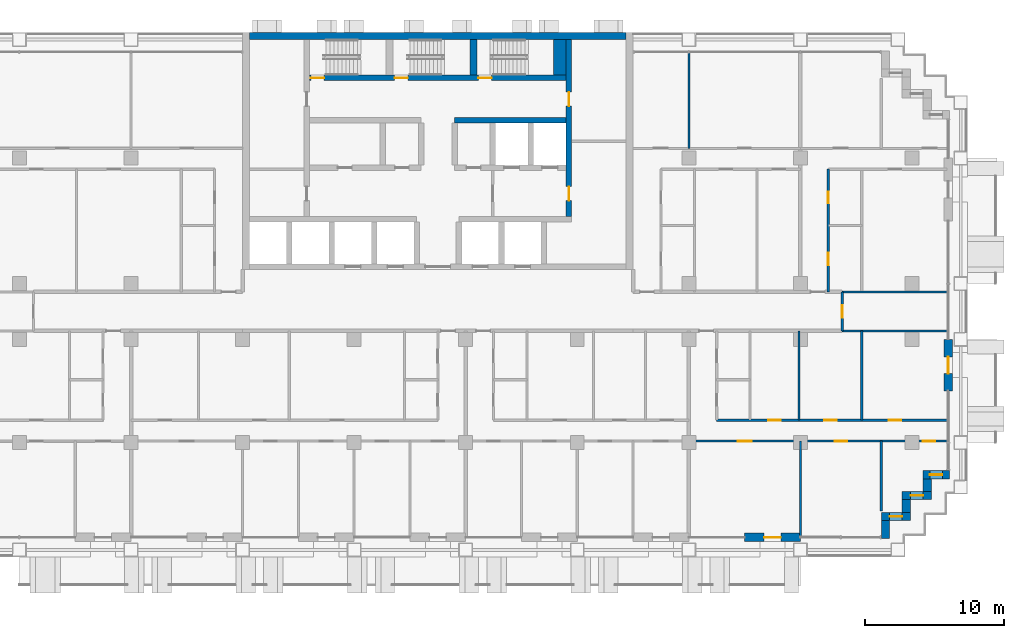
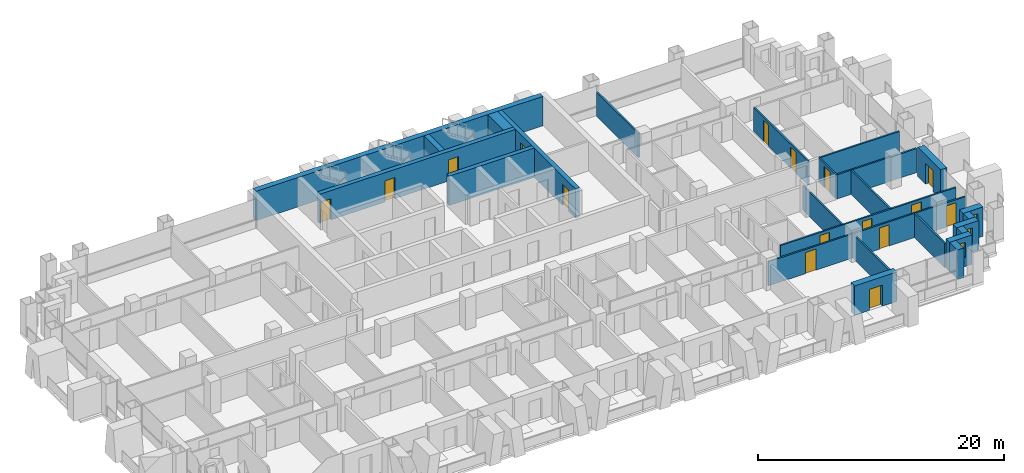
# One storey, part 13 of 18: 25 walls, 16 doors, 3 windows, 19 openings.
"""IFC4 building model written with IfcOpenShell, lengths in metres."""

import ifcopenshell
import ifcopenshell.guid

model = None  # the IFC model being written
_history = None  # IfcOwnerHistory: only IFC2X3 demands one
_inside = {}  # id of a spatial element -> (the spatial element, [elements in it])
_under = {}  # id of a project, library or spatial element -> (it, [spatial elements below it])
_declared = {}  # id of a project -> (the project, [libraries it declares])
_typed = {}  # id of a type object -> (the type object, [elements of that type])
_made_of = {}  # id of a material, layer set ... -> (it, [elements and type objects made of it])


def new_model(schema):
    """Start an empty IFC model of exactly this schema.

    Asked for "IFC4X3", IfcOpenShell would pick the latest addendum, in which some entities
    have other attributes; the version numbers below select the first issue.
    IFC2X3 requires an IfcOwnerHistory on every rooted entity: one is made here for all.
    """
    global model, _history
    if schema == "IFC4X3":
        model = ifcopenshell.file(schema_version=(4, 3, 0, 0))
    else:
        model = ifcopenshell.file(schema=schema)
    _inside.clear()
    _under.clear()
    _declared.clear()
    _typed.clear()
    _made_of.clear()
    _history = None
    if model.schema == "IFC2X3":
        org = make("IfcOrganization", Name="unknown")
        user = make(
            "IfcPersonAndOrganization",
            ThePerson=make("IfcPerson", FamilyName="unknown"),
            TheOrganization=org,
        )
        app = make(
            "IfcApplication",
            ApplicationDeveloper=org,
            Version="unknown",
            ApplicationFullName="unknown",
            ApplicationIdentifier="unknown",
        )
        _history = make(
            "IfcOwnerHistory",
            OwningUser=user,
            OwningApplication=app,
            ChangeAction="ADDED",
            CreationDate=0,
        )
    return model


def make(cls, **values):
    """One entity of the class cls with the attributes given. An attribute that is None is left unset."""
    return model.create_entity(
        cls, **{name: value for name, value in values.items() if value is not None}
    )


def rooted(cls, **values):
    """An entity with a GlobalId (a new one), such as an element, a storey or a relation."""
    return make(cls, GlobalId=ifcopenshell.guid.new(), OwnerHistory=_history, **values)


def si_unit(unit_type, name, prefix=None):
    """IfcSIUnit, for example si_unit("LENGTHUNIT", "METRE", prefix="MILLI")."""
    return make("IfcSIUnit", UnitType=unit_type, Prefix=prefix, Name=name)


def assignment(units):
    """IfcUnitAssignment: the units of a project."""
    return None if units is None else make("IfcUnitAssignment", Units=units)


def point(xyz):
    """IfcCartesianPoint."""
    return None if xyz is None else make("IfcCartesianPoint", Coordinates=xyz)


def direction(xyz):
    """IfcDirection."""
    return None if xyz is None else make("IfcDirection", DirectionRatios=xyz)


def frame(location, z_axis=None, x_axis=None):
    """IfcAxis2Placement3D, a coordinate frame: its origin and axes. An axis left out is left unset."""
    return make(
        "IfcAxis2Placement3D",
        Location=point(location),
        Axis=direction(z_axis),
        RefDirection=direction(x_axis),
    )


def frame_2d(location, x_axis=None):
    """IfcAxis2Placement2D, a coordinate frame in the plane: its origin and x axis."""
    return make(
        "IfcAxis2Placement2D", Location=point(location), RefDirection=direction(x_axis)
    )


def origin():
    """The frame at (0, 0, 0) with its axes left unset."""
    return frame((0.0, 0.0, 0.0))


def place(relative_to, where):
    """IfcLocalPlacement: puts the frame where relative to a parent placement (None: the world)."""
    return make(
        "IfcLocalPlacement", PlacementRelTo=relative_to, RelativePlacement=where
    )


def context(
    kind, dimensions, precision=None, world=None, true_north=None, identifier=None
):
    """IfcGeometricRepresentationContext, for example the 3D "Model" context."""
    return make(
        "IfcGeometricRepresentationContext",
        ContextIdentifier=identifier,
        ContextType=kind,
        CoordinateSpaceDimension=dimensions,
        Precision=precision,
        WorldCoordinateSystem=world,
        TrueNorth=true_north,
    )


def subcontext(parent, identifier, kind, view, scale=None):
    """IfcGeometricRepresentationSubContext, for example "Body" below "Model"."""
    return make(
        "IfcGeometricRepresentationSubContext",
        ContextIdentifier=identifier,
        ContextType=kind,
        ParentContext=parent,
        TargetScale=scale,
        TargetView=view,
    )


def project(units=None, contexts=None):
    """IfcProject with its units and contexts."""
    return rooted(
        "IfcProject",
        Name="project",
        RepresentationContexts=contexts,
        UnitsInContext=assignment(units),
    )


def spatial(cls, under=None, at=None, **own):
    """A site, building, storey or space (cls), placed at a placement, below another one or the project."""
    s = rooted(cls, ObjectPlacement=at, **own)
    if under is not None:
        _under.setdefault(under.id(), (under, []))[1].append(s)
    return s


def profile(cls, at=None, kind="AREA", **sizes):
    """A parametric profile (cls). Its sizes go by their IFC names, for example OverallWidth=200.0."""
    return make(cls, ProfileType=kind, Position=at, **sizes)


def rectangle(**sizes):
    """IfcRectangleProfileDef."""
    return profile("IfcRectangleProfileDef", **sizes)


def extrude(swept, where, along, depth):
    """IfcExtrudedAreaSolid: the profile swept, set in the frame where, extruded along a direction by depth."""
    return make(
        "IfcExtrudedAreaSolid",
        SweptArea=swept,
        Position=where,
        ExtrudedDirection=direction(along),
        Depth=depth,
    )


def shape(context_of_items, identifier, shape_type, items):
    """IfcShapeRepresentation: the items that make up one representation, for example the "Body"."""
    return make(
        "IfcShapeRepresentation",
        ContextOfItems=context_of_items,
        RepresentationIdentifier=identifier,
        RepresentationType=shape_type,
        Items=items,
    )


def material(Name=None, Category=None):
    """IfcMaterial."""
    return make("IfcMaterial", Name=Name, Category=Category)


def layer(
    of_material, thickness, ventilated=None, Name=None, Category=None, Priority=None
):
    """IfcMaterialLayer: one layer of a wall or slab, of a material (None: an air gap)."""
    return make(
        "IfcMaterialLayer",
        Material=of_material,
        LayerThickness=thickness,
        IsVentilated=ventilated,
        Name=Name,
        Category=Category,
        Priority=Priority,
    )


def layer_set(layers, Name=None):
    """IfcMaterialLayerSet."""
    return make("IfcMaterialLayerSet", MaterialLayers=layers, LayerSetName=Name)


def made_of(thing, what):
    """Note that an element or type object is made of a material, layer set ...; save() writes the relation."""
    if what is not None:
        _made_of.setdefault(what.id(), (what, []))[1].append(thing)
    return thing


def type_object(cls, material=None, **own):
    """A type object (cls), such as IfcWallType, which elements share."""
    return made_of(rooted(cls, **own), material)


def element(
    cls,
    number,
    at=None,
    inside=None,
    cuts=None,
    type_object=None,
    material=None,
    context=None,
    identifier="Body",
    shape_type=None,
    held_by="IfcProductDefinitionShape",
    body=None,
    shapes=None,
    **own,
):
    """One element of the class cls, such as IfcWall. Its Tag is "e" and its number.

    at: its placement. inside: the storey or other place that contains it. cuts: it is an
    opening in that element (IfcRelVoidsElement). A single representation is given by context,
    identifier, shape_type and body (its items); several are given by shapes. held_by: the class
    of the entity that holds the representations. save() writes the other relations.
    """
    e = rooted(cls, Tag="e%d" % number, ObjectPlacement=at, **own)
    if body is not None:
        shapes = [shape(context, identifier, shape_type, body)]
    if shapes is not None:
        e.Representation = make(held_by, Representations=shapes)
    if inside is not None:
        _inside.setdefault(inside.id(), (inside, []))[1].append(e)
    if cuts is not None:
        rooted(
            "IfcRelVoidsElement", RelatingBuildingElement=cuts, RelatedOpeningElement=e
        )
    if type_object is not None:
        _typed.setdefault(type_object.id(), (type_object, []))[1].append(e)
    return made_of(e, material)


def fill(opening, filler):
    """IfcRelFillsElement: the door or window that sits in an opening."""
    return rooted(
        "IfcRelFillsElement",
        RelatingOpeningElement=opening,
        RelatedBuildingElement=filler,
    )


def aggregate(whole, parts):
    """IfcRelAggregates: a whole, such as a stair, and the parts it consists of."""
    return rooted("IfcRelAggregates", RelatingObject=whole, RelatedObjects=parts)


def save(model, path):
    """Write the relations noted so far, then the file.

    IfcRelAggregates (storeys below a building ...), IfcRelContainedInSpatialStructure (elements
    in a storey), IfcRelDefinesByType, IfcRelAssociatesMaterial and IfcRelDeclares: one each for
    every whole, place, type object, material and project.
    """
    for whole, parts in _under.values():
        aggregate(whole, parts)
    for where, things in _inside.values():
        rooted(
            "IfcRelContainedInSpatialStructure",
            RelatedElements=things,
            RelatingStructure=where,
        )
    for kind, things in _typed.values():
        rooted("IfcRelDefinesByType", RelatedObjects=things, RelatingType=kind)
    for what, things in _made_of.values():
        rooted("IfcRelAssociatesMaterial", RelatedObjects=things, RelatingMaterial=what)
    for by, libraries in _declared.values():
        rooted("IfcRelDeclares", RelatingContext=by, RelatedDefinitions=libraries)
    model.write(path)


model = new_model("IFC4")

# Units and contexts
model_context = context("Model", 3, precision=1e-05, world=origin(), true_north=direction((0.0, 1.0)))
body_context = subcontext(model_context, "Body", "Model", "MODEL_VIEW")
ifc_project = project(units=[si_unit("LENGTHUNIT", "METRE"), si_unit("AREAUNIT", "SQUARE_METRE"), si_unit("VOLUMEUNIT", "CUBIC_METRE"), si_unit("PLANEANGLEUNIT", "RADIAN"), si_unit("MASSUNIT", "GRAM", prefix="KILO")], contexts=[model_context])

# Site, building, storey
site_placement = place(None, origin())
site = spatial("IfcSite", under=ifc_project, at=site_placement, CompositionType="ELEMENT")
building_placement = place(site_placement, origin())
building = spatial("IfcBuilding", under=site, at=building_placement, Name="Vidyagriha Tower", CompositionType="ELEMENT")
storey_placement = place(building_placement, frame((0.0, 0.0, 48.0)))
storey = spatial("IfcBuildingStorey", under=building, at=storey_placement, Name="L12", CompositionType="ELEMENT", Elevation=48.0)

# Wall, opening, door
ifc_material_1 = material(Name="Precast concrete C40/50 with brick facing", Category="concrete")
ifc_layer_1 = layer(ifc_material_1, 0.60009765625)
ifc_layer_set_1 = layer_set([ifc_layer_1], Name="Precast concrete C40/50 with brick facing")
wall_type_1 = type_object("IfcWallType", Name="Brick-faced precast wall 600", PredefinedType="STANDARD", material=ifc_layer_set_1)
wall_1_placement = place(storey_placement, frame((22.0, -16.199951171875, 0.0)))
wall_1 = element("IfcWall", 1, at=wall_1_placement, inside=storey, type_object=wall_type_1, Name="Brick door bay wall L12 R23.15", PredefinedType="STANDARD", context=body_context, shape_type="SweptSolid", body=[
    extrude(rectangle(XDim=4.0, YDim=0.60009765625, at=frame_2d((2.0, 0.0))), origin(), (0.0, 0.0, 1.0), 2.919921875),
])
opening_1_placement = place(wall_1_placement, frame((1.39990234375, 0.0, 0.0)))
opening_1 = element("IfcOpeningElement", 2, at=opening_1_placement, cuts=wall_1, Name="Opening D12-83", PredefinedType="OPENING", context=body_context, shape_type="SweptSolid", body=[
    extrude(rectangle(XDim=1.199951171875, YDim=2.10009765625, at=frame_2d((0.60009765625, 1.050048828125))), frame((0.0, 0.31005859375, 0.0), z_axis=(0.0, -1.0, 0.0), x_axis=(1.0, 0.0, 0.0)), (0.0, 0.0, 1.0), 0.6201171875),
])
ifc_material_2 = material(Name="Aluminium framed glazed sliding door", Category="aluminium")
door_type_1 = type_object("IfcDoorType", Name="Balcony sliding door 1200x2100", OperationType="NOTDEFINED", PredefinedType="DOOR", material=ifc_material_2)
door_1_placement = place(opening_1_placement, origin())
door_1 = element("IfcDoor", 3, at=door_1_placement, inside=storey, type_object=door_type_1, Name="Door D12-83", OperationType="SLIDING_TO_LEFT", OverallHeight=2.10009765625, OverallWidth=1.199951171875, PredefinedType="DOOR", context=body_context, shape_type="SweptSolid", body=[
    extrude(rectangle(XDim=1.199951171875, YDim=2.10009765625, at=frame_2d((0.60009765625, 1.050048828125))), frame((0.0, 0.02490234375, 0.0), z_axis=(0.0, -1.0, 0.0), x_axis=(1.0, 0.0, 0.0)), (0.0, 0.0, 1.0), 0.050048828125),
])
fill(opening_1, door_1)

# Wall
wall_2_placement = place(storey_placement, frame((32.10009765625, -16.280029296875, 0.0), z_axis=(0.0, 0.0, 1.0), x_axis=(0.0, 1.0, 0.0)))
element("IfcWall", 4, at=wall_2_placement, inside=storey, type_object=wall_type_1, Name="Stepped corner wall L12 R24", PredefinedType="STANDARD", context=body_context, shape_type="SweptSolid", body=[
    extrude(rectangle(XDim=1.280029296875, YDim=0.60009765625, at=frame_2d((0.64013671875, 0.0))), origin(), (0.0, 0.0, 1.0), 2.919921875),
])

# Wall, opening, window
wall_3_placement = place(storey_placement, frame((31.800048828125, -14.699951171875, 0.0)))
wall_3 = element("IfcWall", 5, at=wall_3_placement, inside=storey, type_object=wall_type_1, Name="Stepped corner wall L12 R25", PredefinedType="STANDARD", context=body_context, shape_type="SweptSolid", body=[
    extrude(rectangle(XDim=2.099853515625, YDim=0.60009765625, at=frame_2d((1.0498046875, 0.0))), origin(), (0.0, 0.0, 1.0), 2.919921875),
])
opening_2_placement = place(wall_3_placement, frame((0.60009765625, 0.0, 0.89990234375)))
opening_2 = element("IfcOpeningElement", 6, at=opening_2_placement, cuts=wall_3, Name="Opening WN1", PredefinedType="OPENING", context=body_context, shape_type="SweptSolid", body=[
    extrude(rectangle(XDim=0.89990234375, YDim=1.5, at=frame_2d((0.449951171875, 0.75))), frame((0.0, 0.31005859375, 0.0), z_axis=(0.0, -1.0, 0.0), x_axis=(1.0, 0.0, 0.0)), (0.0, 0.0, 1.0), 0.6201171875),
])
ifc_material_3 = material(Name="Aluminium and glass window", Category="aluminium")
window_type = type_object("IfcWindowType", Name="Reveal window 900x1500", PartitioningType="NOTDEFINED", PredefinedType="WINDOW", material=ifc_material_3)
window_1_placement = place(opening_2_placement, origin())
window_1 = element("IfcWindow", 7, at=window_1_placement, inside=storey, type_object=window_type, Name="Reveal window L12 R25", OverallHeight=1.5, OverallWidth=0.89990234375, PartitioningType="SINGLE_PANEL", PredefinedType="WINDOW", context=body_context, shape_type="SweptSolid", body=[
    extrude(rectangle(XDim=0.89990234375, YDim=1.5, at=frame_2d((0.449951171875, 0.75))), frame((0.0, 0.030029296875, 0.0), z_axis=(0.0, -1.0, 0.0), x_axis=(1.0, 0.0, 0.0)), (0.0, 0.0, 1.0), 0.06005859375),
])
fill(opening_2, window_1)

# Wall
wall_4_placement = place(storey_placement, frame((33.60009765625, -14.39990234375, 0.0), z_axis=(0.0, 0.0, 1.0), x_axis=(0.0, 1.0, 0.0)))
element("IfcWall", 8, at=wall_4_placement, inside=storey, type_object=wall_type_1, Name="Stepped corner wall L12 R26", PredefinedType="STANDARD", context=body_context, shape_type="SweptSolid", body=[
    extrude(rectangle(XDim=0.89990234375, YDim=0.60009765625, at=frame_2d((0.449951171875, 0.0))), origin(), (0.0, 0.0, 1.0), 2.919921875),
])

# Wall, opening, window
wall_5_placement = place(storey_placement, frame((33.300048828125, -13.199951171875, 0.0)))
wall_5 = element("IfcWall", 9, at=wall_5_placement, inside=storey, type_object=wall_type_1, Name="Stepped corner wall L12 R27", PredefinedType="STANDARD", context=body_context, shape_type="SweptSolid", body=[
    extrude(rectangle(XDim=2.099853515625, YDim=0.60009765625, at=frame_2d((1.0498046875, 0.0))), origin(), (0.0, 0.0, 1.0), 2.919921875),
])
opening_3_placement = place(wall_5_placement, frame((0.60009765625, 0.0, 0.89990234375)))
opening_3 = element("IfcOpeningElement", 10, at=opening_3_placement, cuts=wall_5, Name="Opening WN1", PredefinedType="OPENING", context=body_context, shape_type="SweptSolid", body=[
    extrude(rectangle(XDim=0.89990234375, YDim=1.5, at=frame_2d((0.449951171875, 0.75))), frame((0.0, 0.31005859375, 0.0), z_axis=(0.0, -1.0, 0.0), x_axis=(1.0, 0.0, 0.0)), (0.0, 0.0, 1.0), 0.6201171875),
])
window_2_placement = place(opening_3_placement, origin())
window_2 = element("IfcWindow", 11, at=window_2_placement, inside=storey, type_object=window_type, Name="Reveal window L12 R27", OverallHeight=1.5, OverallWidth=0.89990234375, PartitioningType="SINGLE_PANEL", PredefinedType="WINDOW", context=body_context, shape_type="SweptSolid", body=[
    extrude(rectangle(XDim=0.89990234375, YDim=1.5, at=frame_2d((0.449951171875, 0.75))), frame((0.0, 0.030029296875, 0.0), z_axis=(0.0, -1.0, 0.0), x_axis=(1.0, 0.0, 0.0)), (0.0, 0.0, 1.0), 0.06005859375),
])
fill(opening_3, window_2)

# Wall
wall_6_placement = place(storey_placement, frame((35.10009765625, -12.89990234375, 0.0), z_axis=(0.0, 0.0, 1.0), x_axis=(0.0, 1.0, 0.0)))
element("IfcWall", 12, at=wall_6_placement, inside=storey, type_object=wall_type_1, Name="Stepped corner wall L12 R28", PredefinedType="STANDARD", context=body_context, shape_type="SweptSolid", body=[
    extrude(rectangle(XDim=0.89990234375, YDim=0.60009765625, at=frame_2d((0.449951171875, 0.0))), origin(), (0.0, 0.0, 1.0), 2.919921875),
])

# Wall, opening, window
wall_7_placement = place(storey_placement, frame((34.800048828125, -11.699951171875, 0.0)))
wall_7 = element("IfcWall", 13, at=wall_7_placement, inside=storey, type_object=wall_type_1, Name="Stepped corner wall L12 R29", PredefinedType="STANDARD", context=body_context, shape_type="SweptSolid", body=[
    extrude(rectangle(XDim=1.8798828125, YDim=0.60009765625, at=frame_2d((0.93994140625, 0.0))), origin(), (0.0, 0.0, 1.0), 2.919921875),
])
opening_4_placement = place(wall_7_placement, frame((0.489990234375, 0.0, 0.89990234375)))
opening_4 = element("IfcOpeningElement", 14, at=opening_4_placement, cuts=wall_7, Name="Opening WN1", PredefinedType="OPENING", context=body_context, shape_type="SweptSolid", body=[
    extrude(rectangle(XDim=0.89990234375, YDim=1.5, at=frame_2d((0.449951171875, 0.75))), frame((0.0, 0.31005859375, 0.0), z_axis=(0.0, -1.0, 0.0), x_axis=(1.0, 0.0, 0.0)), (0.0, 0.0, 1.0), 0.6201171875),
])
window_3_placement = place(opening_4_placement, origin())
window_3 = element("IfcWindow", 15, at=window_3_placement, inside=storey, type_object=window_type, Name="Reveal window L12 R29", OverallHeight=1.5, OverallWidth=0.89990234375, PartitioningType="SINGLE_PANEL", PredefinedType="WINDOW", context=body_context, shape_type="SweptSolid", body=[
    extrude(rectangle(XDim=0.89990234375, YDim=1.5, at=frame_2d((0.449951171875, 0.75))), frame((0.0, 0.030029296875, 0.0), z_axis=(0.0, -1.0, 0.0), x_axis=(1.0, 0.0, 0.0)), (0.0, 0.0, 1.0), 0.06005859375),
])
fill(opening_4, window_3)

# Wall, opening, door
wall_8_placement = place(storey_placement, frame((36.60009765625, -5.699951171875, 0.0), z_axis=(0.0, 0.0, 1.0), x_axis=(0.0, 1.0, 0.0)))
wall_8 = element("IfcWall", 16, at=wall_8_placement, inside=storey, type_object=wall_type_1, Name="Brick door bay wall L12 R30.3", PredefinedType="STANDARD", context=body_context, shape_type="SweptSolid", body=[
    extrude(rectangle(XDim=3.699951171875, YDim=0.60009765625, at=frame_2d((1.85009765625, 0.0))), origin(), (0.0, 0.0, 1.0), 2.919921875),
])
opening_5_placement = place(wall_8_placement, frame((1.25, 0.0, 0.0)))
opening_5 = element("IfcOpeningElement", 17, at=opening_5_placement, cuts=wall_8, Name="Opening D12-84", PredefinedType="OPENING", context=body_context, shape_type="SweptSolid", body=[
    extrude(rectangle(XDim=1.199951171875, YDim=2.10009765625, at=frame_2d((0.60009765625, 1.050048828125))), frame((0.0, 0.31005859375, 0.0), z_axis=(0.0, -1.0, 0.0), x_axis=(1.0, 0.0, 0.0)), (0.0, 0.0, 1.0), 0.6201171875),
])
door_2_placement = place(opening_5_placement, origin())
door_2 = element("IfcDoor", 18, at=door_2_placement, inside=storey, type_object=door_type_1, Name="Door D12-84", OperationType="SLIDING_TO_LEFT", OverallHeight=2.10009765625, OverallWidth=1.199951171875, PredefinedType="DOOR", context=body_context, shape_type="SweptSolid", body=[
    extrude(rectangle(XDim=1.199951171875, YDim=2.10009765625, at=frame_2d((0.60009765625, 1.050048828125))), frame((0.0, 0.02490234375, 0.0), z_axis=(0.0, -1.0, 0.0), x_axis=(1.0, 0.0, 0.0)), (0.0, 0.0, 1.0), 0.050048828125),
])
fill(opening_5, door_2)

# Wall, openings, doors
ifc_material_4 = material(Name="Concrete C60/75", Category="concrete")
ifc_layer_2 = layer(ifc_material_4, 0.39990234375)
ifc_layer_set_2 = layer_set([ifc_layer_2], Name="Concrete C60/75")
wall_type_2 = type_object("IfcWallType", Name="Core shear wall 400 mm", PredefinedType="SHEAR", material=ifc_layer_set_2)
wall_9_placement = place(storey_placement, frame((9.39990234375, 6.800048828125, 0.0), z_axis=(0.0, 0.0, 1.0), x_axis=(0.0, 1.0, 0.0)))
wall_9 = element("IfcWall", 19, at=wall_9_placement, inside=storey, type_object=wall_type_2, Name="Core east spine wall", PredefinedType="SHEAR", context=body_context, shape_type="SweptSolid", body=[
    extrude(rectangle(XDim=12.699951171875, YDim=0.39990234375, at=frame_2d((6.35009765625, 0.0))), origin(), (0.0, 0.0, 1.0), 2.919921875),
])
opening_6_placement = place(wall_9_placement, frame((1.14990234375, 0.0, 0.0)))
opening_6 = element("IfcOpeningElement", 20, at=opening_6_placement, cuts=wall_9, Name="Opening D12-11", PredefinedType="OPENING", context=body_context, shape_type="SweptSolid", body=[
    extrude(rectangle(XDim=1.0, YDim=2.10009765625, at=frame_2d((0.5, 1.050048828125))), frame((0.0, 0.2099609375, 0.0), z_axis=(0.0, -1.0, 0.0), x_axis=(1.0, 0.0, 0.0)), (0.0, 0.0, 1.0), 0.419921875),
])
opening_7_placement = place(wall_9_placement, frame((7.925048828125, 0.0, 0.0)))
opening_7 = element("IfcOpeningElement", 21, at=opening_7_placement, cuts=wall_9, Name="Opening D12-12", PredefinedType="OPENING", context=body_context, shape_type="SweptSolid", body=[
    extrude(rectangle(XDim=1.0, YDim=2.10009765625, at=frame_2d((0.5, 1.050048828125))), frame((0.0, 0.2099609375, 0.0), z_axis=(0.0, -1.0, 0.0), x_axis=(1.0, 0.0, 0.0)), (0.0, 0.0, 1.0), 0.419921875),
])
ifc_material_5 = material(Name="Hollow metal door leaf")
door_type_2 = type_object("IfcDoorType", Name="Core room door 1000 x 2100 mm EI 60", OperationType="NOTDEFINED", PredefinedType="DOOR", material=ifc_material_5)
door_3_placement = place(opening_6_placement, origin())
door_3 = element("IfcDoor", 22, at=door_3_placement, inside=storey, type_object=door_type_2, Name="Door Switchgear Room 12.E1", OperationType="SINGLE_SWING_RIGHT", OverallHeight=2.10009765625, OverallWidth=1.0, PredefinedType="DOOR", context=body_context, shape_type="SweptSolid", body=[
    extrude(rectangle(XDim=1.0, YDim=2.10009765625, at=frame_2d((0.5, 1.050048828125))), frame((0.0, 0.02490234375, 0.0), z_axis=(0.0, -1.0, 0.0), x_axis=(1.0, 0.0, 0.0)), (0.0, 0.0, 1.0), 0.050048828125),
])
fill(opening_6, door_3)
door_4_placement = place(opening_7_placement, origin())
door_4 = element("IfcDoor", 23, at=door_4_placement, inside=storey, type_object=door_type_2, Name="Door Communications Room 12.E2", OperationType="SINGLE_SWING_LEFT", OverallHeight=2.10009765625, OverallWidth=1.0, PredefinedType="DOOR", context=body_context, shape_type="SweptSolid", body=[
    extrude(rectangle(XDim=1.0, YDim=2.10009765625, at=frame_2d((0.5, 1.050048828125))), frame((0.0, 0.02490234375, 0.0), z_axis=(0.0, -1.0, 0.0), x_axis=(1.0, 0.0, 0.0)), (0.0, 0.0, 1.0), 0.050048828125),
])
fill(opening_7, door_4)

# Wall
wall_10_placement = place(storey_placement, frame((1.199951171875, 13.699951171875, 0.0)))
element("IfcWall", 24, at=wall_10_placement, inside=storey, type_object=wall_type_2, Name="Core row N rear wall", PredefinedType="SHEAR", context=body_context, shape_type="SweptSolid", body=[
    extrude(rectangle(XDim=8.0, YDim=0.39990234375, at=frame_2d((4.0, 0.0))), origin(), (0.0, 0.0, 1.0), 2.919921875),
])

# Wall, openings, doors
wall_11_placement = place(storey_placement, frame((-9.199951171875, 16.75, 0.0)))
wall_11 = element("IfcWall", 25, at=wall_11_placement, inside=storey, type_object=wall_type_2, Name="Stair front wall", PredefinedType="SHEAR", context=body_context, shape_type="SweptSolid", body=[
    extrude(rectangle(XDim=18.39990234375, YDim=0.39990234375, at=frame_2d((9.199951171875, 0.0))), origin(), (0.0, 0.0, 1.0), 2.919921875),
])
opening_8_placement = place(wall_11_placement, frame((0.10009765625, 0.0, 0.0)))
opening_8 = element("IfcOpeningElement", 26, at=opening_8_placement, cuts=wall_11, Name="Opening D12-06", PredefinedType="OPENING", context=body_context, shape_type="SweptSolid", body=[
    extrude(rectangle(XDim=0.949951171875, YDim=2.10009765625, at=frame_2d((0.47509765625, 1.050048828125))), frame((0.0, 0.2099609375, 0.0), z_axis=(0.0, -1.0, 0.0), x_axis=(1.0, 0.0, 0.0)), (0.0, 0.0, 1.0), 0.419921875),
])
opening_9_placement = place(wall_11_placement, frame((6.10009765625, 0.0, 0.0)))
opening_9 = element("IfcOpeningElement", 27, at=opening_9_placement, cuts=wall_11, Name="Opening D12-07", PredefinedType="OPENING", context=body_context, shape_type="SweptSolid", body=[
    extrude(rectangle(XDim=0.949951171875, YDim=2.10009765625, at=frame_2d((0.47509765625, 1.050048828125))), frame((0.0, 0.2099609375, 0.0), z_axis=(0.0, -1.0, 0.0), x_axis=(1.0, 0.0, 0.0)), (0.0, 0.0, 1.0), 0.419921875),
])
opening_10_placement = place(wall_11_placement, frame((12.10009765625, 0.0, 0.0)))
opening_10 = element("IfcOpeningElement", 28, at=opening_10_placement, cuts=wall_11, Name="Opening D12-08", PredefinedType="OPENING", context=body_context, shape_type="SweptSolid", body=[
    extrude(rectangle(XDim=0.949951171875, YDim=2.10009765625, at=frame_2d((0.47509765625, 1.050048828125))), frame((0.0, 0.2099609375, 0.0), z_axis=(0.0, -1.0, 0.0), x_axis=(1.0, 0.0, 0.0)), (0.0, 0.0, 1.0), 0.419921875),
])
ifc_material_6 = material(Name="Hollow metal door leaf")
door_type_3 = type_object("IfcDoorType", Name="Exit stair door 950 x 2100 mm EI 90", OperationType="NOTDEFINED", PredefinedType="DOOR", material=ifc_material_6)
door_5_placement = place(opening_8_placement, origin())
door_5 = element("IfcDoor", 29, at=door_5_placement, inside=storey, type_object=door_type_3, Name="Stair door ST1 L12", OperationType="SINGLE_SWING_LEFT", OverallHeight=2.10009765625, OverallWidth=0.949951171875, PredefinedType="DOOR", context=body_context, shape_type="SweptSolid", body=[
    extrude(rectangle(XDim=0.949951171875, YDim=2.10009765625, at=frame_2d((0.47509765625, 1.050048828125))), frame((0.0, 0.02490234375, 0.0), z_axis=(0.0, -1.0, 0.0), x_axis=(1.0, 0.0, 0.0)), (0.0, 0.0, 1.0), 0.050048828125),
])
fill(opening_8, door_5)
door_6_placement = place(opening_9_placement, origin())
door_6 = element("IfcDoor", 30, at=door_6_placement, inside=storey, type_object=door_type_3, Name="Stair door ST2 L12", OperationType="SINGLE_SWING_LEFT", OverallHeight=2.10009765625, OverallWidth=0.949951171875, PredefinedType="DOOR", context=body_context, shape_type="SweptSolid", body=[
    extrude(rectangle(XDim=0.949951171875, YDim=2.10009765625, at=frame_2d((0.47509765625, 1.050048828125))), frame((0.0, 0.02490234375, 0.0), z_axis=(0.0, -1.0, 0.0), x_axis=(1.0, 0.0, 0.0)), (0.0, 0.0, 1.0), 0.050048828125),
])
fill(opening_9, door_6)
door_7_placement = place(opening_10_placement, origin())
door_7 = element("IfcDoor", 31, at=door_7_placement, inside=storey, type_object=door_type_3, Name="Stair door ST3 L12", OperationType="SINGLE_SWING_LEFT", OverallHeight=2.10009765625, OverallWidth=0.949951171875, PredefinedType="DOOR", context=body_context, shape_type="SweptSolid", body=[
    extrude(rectangle(XDim=0.949951171875, YDim=2.10009765625, at=frame_2d((0.47509765625, 1.050048828125))), frame((0.0, 0.02490234375, 0.0), z_axis=(0.0, -1.0, 0.0), x_axis=(1.0, 0.0, 0.0)), (0.0, 0.0, 1.0), 0.050048828125),
])
fill(opening_10, door_7)

# Walls
ifc_material_7 = material(Name="Concrete C60/75", Category="concrete")
ifc_layer_3 = layer(ifc_material_7, 0.5)
ifc_layer_set_3 = layer_set([ifc_layer_3], Name="Concrete C60/75")
wall_type_3 = type_object("IfcWallType", Name="Core shear wall 500 mm", PredefinedType="SHEAR", material=ifc_layer_set_3)
wall_12_placement = place(storey_placement, frame((-13.5, 19.75, 0.0)))
element("IfcWall", 32, at=wall_12_placement, inside=storey, type_object=wall_type_3, Name="Core north wall", PredefinedType="SHEAR", context=body_context, shape_type="SweptSolid", body=[
    extrude(rectangle(XDim=27.0, YDim=0.5, at=frame_2d((13.5, 0.0))), origin(), (0.0, 0.0, 1.0), 2.919921875),
])
wall_13_placement = place(storey_placement, frame((2.550048828125, 16.949951171875, 0.0), z_axis=(0.0, 0.0, 1.0), x_axis=(0.0, 1.0, 0.0)))
element("IfcWall", 33, at=wall_13_placement, inside=storey, type_object=wall_type_3, Name="Stair partition wall 2", PredefinedType="SHEAR", context=body_context, shape_type="SweptSolid", body=[
    extrude(rectangle(XDim=2.550048828125, YDim=0.5, at=frame_2d((1.27490234375, 0.0))), origin(), (0.0, 0.0, 1.0), 2.919921875),
])
ifc_material_8 = material(Name="Concrete C60/75", Category="concrete")
ifc_layer_4 = layer(ifc_material_8, 0.89990234375)
ifc_layer_set_4 = layer_set([ifc_layer_4], Name="Concrete C60/75")
wall_type_4 = type_object("IfcWallType", Name="Core shear wall 900 mm", PredefinedType="SHEAR", material=ifc_layer_set_4)
wall_14_placement = place(storey_placement, frame((8.75, 16.949951171875, 0.0), z_axis=(0.0, 0.0, 1.0), x_axis=(0.0, 1.0, 0.0)))
element("IfcWall", 34, at=wall_14_placement, inside=storey, type_object=wall_type_4, Name="Stair end wall", PredefinedType="SHEAR", context=body_context, shape_type="SweptSolid", body=[
    extrude(rectangle(XDim=2.550048828125, YDim=0.89990234375, at=frame_2d((1.27490234375, 0.0))), origin(), (0.0, 0.0, 1.0), 2.919921875),
])
ifc_material_9 = material(Name="Gypsum board partition")
ifc_layer_5 = layer(ifc_material_9, 0.14990234375)
ifc_layer_set_5 = layer_set([ifc_layer_5], Name="Gypsum board partition")
wall_type_5 = type_object("IfcWallType", Name="Gypsum board partition 150", PredefinedType="PARTITIONING", material=ifc_layer_set_5)
for number, where, z_axis, x_axis, name in (
    (35, (25.89990234375, -1.39990234375, 0.0), (0.0, 0.0, 1.0), (0.0, -1.0, 0.0), "Wall all-L12-w066"),
    (36, (30.39990234375, -1.39990234375, 0.0), (0.0, 0.0, 1.0), (0.0, -1.0, 0.0), "Wall all-L12-w067"),
):
    element("IfcWall", number, at=place(storey_placement, frame(where, z_axis=z_axis, x_axis=x_axis)), inside=storey, type_object=wall_type_5, Name=name, PredefinedType="PARTITIONING", context=body_context, shape_type="SweptSolid", body=[
        extrude(rectangle(XDim=6.400146484375, YDim=0.14990234375, at=frame_2d((3.2001953125, 0.0))), origin(), (0.0, 0.0, 1.0), 2.39990234375),
    ])

# Wall, openings, doors
wall_15_placement = place(storey_placement, frame((20.0, -7.800048828125, 0.0)))
wall_15 = element("IfcWall", 37, at=wall_15_placement, inside=storey, type_object=wall_type_5, Name="Wall all-L12-w068", PredefinedType="PARTITIONING", context=body_context, shape_type="SweptSolid", body=[
    extrude(rectangle(XDim=16.52001953125, YDim=0.14990234375, at=frame_2d((8.260009765625, 0.0))), origin(), (0.0, 0.0, 1.0), 2.39990234375),
])
opening_11_placement = place(wall_15_placement, frame((3.699951171875, 0.0, 0.0)))
opening_11 = element("IfcOpeningElement", 38, at=opening_11_placement, cuts=wall_15, Name="Opening D12-44", PredefinedType="OPENING", context=body_context, shape_type="SweptSolid", body=[
    extrude(rectangle(XDim=0.89990234375, YDim=2.10009765625, at=frame_2d((0.449951171875, 1.050048828125))), frame((0.0, 0.0849609375, 0.0), z_axis=(0.0, -1.0, 0.0), x_axis=(1.0, 0.0, 0.0)), (0.0, 0.0, 1.0), 0.169921875),
])
opening_12_placement = place(wall_15_placement, frame((7.699951171875, 0.0, 0.0)))
opening_12 = element("IfcOpeningElement", 39, at=opening_12_placement, cuts=wall_15, Name="Opening D12-45", PredefinedType="OPENING", context=body_context, shape_type="SweptSolid", body=[
    extrude(rectangle(XDim=0.89990234375, YDim=2.10009765625, at=frame_2d((0.449951171875, 1.050048828125))), frame((0.0, 0.0849609375, 0.0), z_axis=(0.0, -1.0, 0.0), x_axis=(1.0, 0.0, 0.0)), (0.0, 0.0, 1.0), 0.169921875),
])
opening_13_placement = place(wall_15_placement, frame((12.340087890625, 0.0, 0.0)))
opening_13 = element("IfcOpeningElement", 40, at=opening_13_placement, cuts=wall_15, Name="Opening D12-46", PredefinedType="OPENING", context=body_context, shape_type="SweptSolid", body=[
    extrude(rectangle(XDim=0.89990234375, YDim=2.10009765625, at=frame_2d((0.449951171875, 1.050048828125))), frame((0.0, 0.0849609375, 0.0), z_axis=(0.0, -1.0, 0.0), x_axis=(1.0, 0.0, 0.0)), (0.0, 0.0, 1.0), 0.169921875),
])
ifc_material_10 = material(Name="Timber door leaf", Category="wood")
door_type_4 = type_object("IfcDoorType", Name="Room door 900x2100", OperationType="NOTDEFINED", PredefinedType="DOOR", material=ifc_material_10)
door_8_placement = place(opening_11_placement, origin())
door_8 = element("IfcDoor", 41, at=door_8_placement, inside=storey, type_object=door_type_4, Name="Door D12-44", OperationType="SINGLE_SWING_RIGHT", OverallHeight=2.10009765625, OverallWidth=0.89990234375, PredefinedType="DOOR", context=body_context, shape_type="SweptSolid", body=[
    extrude(rectangle(XDim=0.89990234375, YDim=2.10009765625, at=frame_2d((0.449951171875, 1.050048828125))), frame((0.0, 0.02490234375, 0.0), z_axis=(0.0, -1.0, 0.0), x_axis=(1.0, 0.0, 0.0)), (0.0, 0.0, 1.0), 0.050048828125),
])
fill(opening_11, door_8)
door_9_placement = place(opening_12_placement, origin())
door_9 = element("IfcDoor", 42, at=door_9_placement, inside=storey, type_object=door_type_4, Name="Door D12-45", OperationType="SINGLE_SWING_RIGHT", OverallHeight=2.10009765625, OverallWidth=0.89990234375, PredefinedType="DOOR", context=body_context, shape_type="SweptSolid", body=[
    extrude(rectangle(XDim=0.89990234375, YDim=2.10009765625, at=frame_2d((0.449951171875, 1.050048828125))), frame((0.0, 0.02490234375, 0.0), z_axis=(0.0, -1.0, 0.0), x_axis=(1.0, 0.0, 0.0)), (0.0, 0.0, 1.0), 0.050048828125),
])
fill(opening_12, door_9)
door_10_placement = place(opening_13_placement, origin())
door_10 = element("IfcDoor", 43, at=door_10_placement, inside=storey, type_object=door_type_4, Name="Door D12-46", OperationType="SINGLE_SWING_LEFT", OverallHeight=2.10009765625, OverallWidth=0.89990234375, PredefinedType="DOOR", context=body_context, shape_type="SweptSolid", body=[
    extrude(rectangle(XDim=0.89990234375, YDim=2.10009765625, at=frame_2d((0.449951171875, 1.050048828125))), frame((0.0, 0.02490234375, 0.0), z_axis=(0.0, -1.0, 0.0), x_axis=(1.0, 0.0, 0.0)), (0.0, 0.0, 1.0), 0.050048828125),
])
fill(opening_13, door_10)

wall_16_placement = place(storey_placement, frame((36.52001953125, -9.300048828125, 0.0), z_axis=(0.0, 0.0, 1.0), x_axis=(-1.0, 0.0, 0.0)))
wall_16 = element("IfcWall", 44, at=wall_16_placement, inside=storey, type_object=wall_type_5, Name="Wall all-L12-w072", PredefinedType="PARTITIONING", context=body_context, shape_type="SweptSolid", body=[
    extrude(rectangle(XDim=18.52001953125, YDim=0.14990234375, at=frame_2d((9.260009765625, 0.0))), origin(), (0.0, 0.0, 1.0), 2.39990234375),
])
opening_14_placement = place(wall_16_placement, frame((14.02001953125, 0.0, 0.0)))
opening_14 = element("IfcOpeningElement", 45, at=opening_14_placement, cuts=wall_16, Name="Opening D12-47", PredefinedType="OPENING", context=body_context, shape_type="SweptSolid", body=[
    extrude(rectangle(XDim=1.0, YDim=2.10009765625, at=frame_2d((0.5, 1.050048828125))), frame((0.0, 0.0849609375, 0.0), z_axis=(0.0, -1.0, 0.0), x_axis=(1.0, 0.0, 0.0)), (0.0, 0.0, 1.0), 0.169921875),
])
opening_15_placement = place(wall_16_placement, frame((7.169921875, 0.0, 0.0)))
opening_15 = element("IfcOpeningElement", 46, at=opening_15_placement, cuts=wall_16, Name="Opening D12-48", PredefinedType="OPENING", context=body_context, shape_type="SweptSolid", body=[
    extrude(rectangle(XDim=0.89990234375, YDim=2.10009765625, at=frame_2d((0.449951171875, 1.050048828125))), frame((0.0, 0.0849609375, 0.0), z_axis=(0.0, -1.0, 0.0), x_axis=(1.0, 0.0, 0.0)), (0.0, 0.0, 1.0), 0.169921875),
])
opening_16_placement = place(wall_16_placement, frame((0.860107421875, 0.0, 0.0)))
opening_16 = element("IfcOpeningElement", 47, at=opening_16_placement, cuts=wall_16, Name="Opening D12-49", PredefinedType="OPENING", context=body_context, shape_type="SweptSolid", body=[
    extrude(rectangle(XDim=0.89990234375, YDim=2.10009765625, at=frame_2d((0.449951171875, 1.050048828125))), frame((0.0, 0.0849609375, 0.0), z_axis=(0.0, -1.0, 0.0), x_axis=(1.0, 0.0, 0.0)), (0.0, 0.0, 1.0), 0.169921875),
])
ifc_material_11 = material(Name="Timber door leaf", Category="wood")
door_type_5 = type_object("IfcDoorType", Name="Room door 1000x2100", OperationType="NOTDEFINED", PredefinedType="DOOR", material=ifc_material_11)
door_11_placement = place(opening_14_placement, origin())
door_11 = element("IfcDoor", 48, at=door_11_placement, inside=storey, type_object=door_type_5, Name="Door D12-47", OperationType="SINGLE_SWING_RIGHT", OverallHeight=2.10009765625, OverallWidth=1.0, PredefinedType="DOOR", context=body_context, shape_type="SweptSolid", body=[
    extrude(rectangle(XDim=1.0, YDim=2.10009765625, at=frame_2d((0.5, 1.050048828125))), frame((0.0, 0.02490234375, 0.0), z_axis=(0.0, -1.0, 0.0), x_axis=(1.0, 0.0, 0.0)), (0.0, 0.0, 1.0), 0.050048828125),
])
fill(opening_14, door_11)
door_12_placement = place(opening_15_placement, origin())
door_12 = element("IfcDoor", 49, at=door_12_placement, inside=storey, type_object=door_type_4, Name="Door D12-48", OperationType="SINGLE_SWING_RIGHT", OverallHeight=2.10009765625, OverallWidth=0.89990234375, PredefinedType="DOOR", context=body_context, shape_type="SweptSolid", body=[
    extrude(rectangle(XDim=0.89990234375, YDim=2.10009765625, at=frame_2d((0.449951171875, 1.050048828125))), frame((0.0, 0.02490234375, 0.0), z_axis=(0.0, -1.0, 0.0), x_axis=(1.0, 0.0, 0.0)), (0.0, 0.0, 1.0), 0.050048828125),
])
fill(opening_15, door_12)
door_13_placement = place(opening_16_placement, origin())
door_13 = element("IfcDoor", 50, at=door_13_placement, inside=storey, type_object=door_type_4, Name="Door D12-49", OperationType="SINGLE_SWING_LEFT", OverallHeight=2.10009765625, OverallWidth=0.89990234375, PredefinedType="DOOR", context=body_context, shape_type="SweptSolid", body=[
    extrude(rectangle(XDim=0.89990234375, YDim=2.10009765625, at=frame_2d((0.449951171875, 1.050048828125))), frame((0.0, 0.02490234375, 0.0), z_axis=(0.0, -1.0, 0.0), x_axis=(1.0, 0.0, 0.0)), (0.0, 0.0, 1.0), 0.050048828125),
])
fill(opening_16, door_13)

# Walls
wall_17_placement = place(storey_placement, frame((26.0, -9.300048828125, 0.0), z_axis=(0.0, 0.0, 1.0), x_axis=(0.0, -1.0, 0.0)))
element("IfcWall", 51, at=wall_17_placement, inside=storey, type_object=wall_type_5, Name="Wall all-L12-w076", PredefinedType="PARTITIONING", context=body_context, shape_type="SweptSolid", body=[
    extrude(rectangle(XDim=6.81005859375, YDim=0.14990234375, at=frame_2d((3.405029296875, 0.0))), origin(), (0.0, 0.0, 1.0), 2.39990234375),
])
wall_18_placement = place(storey_placement, frame((31.800048828125, -9.300048828125, 0.0), z_axis=(0.0, 0.0, 1.0), x_axis=(0.0, -1.0, 0.0)))
element("IfcWall", 52, at=wall_18_placement, inside=storey, type_object=wall_type_5, Name="Wall all-L12-w077", PredefinedType="PARTITIONING", context=body_context, shape_type="SweptSolid", body=[
    extrude(rectangle(XDim=5.02001953125, YDim=0.14990234375, at=frame_2d((2.510009765625, 0.0))), origin(), (0.0, 0.0, 1.0), 2.39990234375),
])
wall_19_placement = place(storey_placement, frame((36.52001953125, -1.39990234375, 0.0), z_axis=(0.0, 0.0, 1.0), x_axis=(-1.0, 0.0, 0.0)))
element("IfcWall", 53, at=wall_19_placement, inside=storey, type_object=wall_type_5, Name="Wall all-L12-w083", PredefinedType="PARTITIONING", context=body_context, shape_type="SweptSolid", body=[
    extrude(rectangle(XDim=7.52001953125, YDim=0.14990234375, at=frame_2d((3.760009765625, 0.0))), origin(), (0.0, 0.0, 1.0), 2.39990234375),
])
wall_20_placement = place(storey_placement, frame((18.0, 18.52099609375, 0.0), z_axis=(0.0, 0.0, 1.0), x_axis=(0.0, -1.0, 0.0)))
element("IfcWall", 54, at=wall_20_placement, inside=storey, type_object=wall_type_5, Name="Wall all-L12-w116", PredefinedType="PARTITIONING", context=body_context, shape_type="SweptSolid", body=[
    extrude(rectangle(XDim=6.821044921875, YDim=0.14990234375, at=frame_2d((3.41064453125, 0.0))), origin(), (0.0, 0.0, 1.0), 2.39990234375),
])
wall_21_placement = place(storey_placement, frame((29.0, 1.39990234375, 0.0)))
element("IfcWall", 55, at=wall_21_placement, inside=storey, type_object=wall_type_5, Name="Wall all-L12-w132", PredefinedType="PARTITIONING", context=body_context, shape_type="SweptSolid", body=[
    extrude(rectangle(XDim=7.52001953125, YDim=0.14990234375, at=frame_2d((3.760009765625, 0.0))), origin(), (0.0, 0.0, 1.0), 2.39990234375),
])

# Wall, opening, door
wall_22_placement = place(storey_placement, frame((29.0, -1.39990234375, 0.0), z_axis=(0.0, 0.0, 1.0), x_axis=(0.0, 1.0, 0.0)))
wall_22 = element("IfcWall", 56, at=wall_22_placement, inside=storey, type_object=wall_type_5, Name="Wall all-L12-w135", PredefinedType="PARTITIONING", context=body_context, shape_type="SweptSolid", body=[
    extrude(rectangle(XDim=2.7998046875, YDim=0.14990234375, at=frame_2d((1.39990234375, 0.0))), origin(), (0.0, 0.0, 1.0), 2.39990234375),
])
opening_17_placement = place(wall_22_placement, frame((0.949951171875, 0.0, 0.0)))
opening_17 = element("IfcOpeningElement", 57, at=opening_17_placement, cuts=wall_22, Name="Opening D12-74", PredefinedType="OPENING", context=body_context, shape_type="SweptSolid", body=[
    extrude(rectangle(XDim=0.89990234375, YDim=2.10009765625, at=frame_2d((0.449951171875, 1.050048828125))), frame((0.0, 0.0849609375, 0.0), z_axis=(0.0, -1.0, 0.0), x_axis=(1.0, 0.0, 0.0)), (0.0, 0.0, 1.0), 0.169921875),
])
door_14_placement = place(opening_17_placement, origin())
door_14 = element("IfcDoor", 58, at=door_14_placement, inside=storey, type_object=door_type_4, Name="Door D12-74", OperationType="SINGLE_SWING_RIGHT", OverallHeight=2.10009765625, OverallWidth=0.89990234375, PredefinedType="DOOR", context=body_context, shape_type="SweptSolid", body=[
    extrude(rectangle(XDim=0.89990234375, YDim=2.10009765625, at=frame_2d((0.449951171875, 1.050048828125))), frame((0.0, 0.02490234375, 0.0), z_axis=(0.0, -1.0, 0.0), x_axis=(1.0, 0.0, 0.0)), (0.0, 0.0, 1.0), 0.050048828125),
])
fill(opening_17, door_14)

# Wall, openings, doors
ifc_material_12 = material(Name="Moisture resistant gypsum board partition")
ifc_layer_6 = layer(ifc_material_12, 0.14990234375)
ifc_layer_set_6 = layer_set([ifc_layer_6], Name="Moisture resistant gypsum board partition")
wall_type_6 = type_object("IfcWallType", Name="Gypsum board wet-area partition 150", PredefinedType="PARTITIONING", material=ifc_layer_set_6)
wall_23_placement = place(storey_placement, frame((28.0, 10.199951171875, 0.0), z_axis=(0.0, 0.0, 1.0), x_axis=(0.0, -1.0, 0.0)))
wall_23 = element("IfcWall", 59, at=wall_23_placement, inside=storey, type_object=wall_type_6, Name="Wall all-L12-w118", PredefinedType="PARTITIONING", context=body_context, shape_type="SweptSolid", body=[
    extrude(rectangle(XDim=8.800048828125, YDim=0.14990234375, at=frame_2d((4.39990234375, 0.0))), origin(), (0.0, 0.0, 1.0), 2.39990234375),
])
opening_18_placement = place(wall_23_placement, frame((5.97509765625, 0.0, 0.0)))
opening_18 = element("IfcOpeningElement", 60, at=opening_18_placement, cuts=wall_23, Name="Opening D12-67", PredefinedType="OPENING", context=body_context, shape_type="SweptSolid", body=[
    extrude(rectangle(XDim=0.89990234375, YDim=2.10009765625, at=frame_2d((0.449951171875, 1.050048828125))), frame((0.0, 0.0849609375, 0.0), z_axis=(0.0, -1.0, 0.0), x_axis=(1.0, 0.0, 0.0)), (0.0, 0.0, 1.0), 0.169921875),
])
opening_19_placement = place(wall_23_placement, frame((1.625, 0.0, 0.0)))
opening_19 = element("IfcOpeningElement", 61, at=opening_19_placement, cuts=wall_23, Name="Opening D12-68", PredefinedType="OPENING", context=body_context, shape_type="SweptSolid", body=[
    extrude(rectangle(XDim=0.800048828125, YDim=2.10009765625, at=frame_2d((0.39990234375, 1.050048828125))), frame((0.0, 0.0849609375, 0.0), z_axis=(0.0, -1.0, 0.0), x_axis=(1.0, 0.0, 0.0)), (0.0, 0.0, 1.0), 0.169921875),
])
ifc_material_13 = material(Name="Timber door leaf", Category="wood")
door_type_6 = type_object("IfcDoorType", Name="Bathroom door 800x2100", OperationType="NOTDEFINED", PredefinedType="DOOR", material=ifc_material_13)
door_15_placement = place(opening_19_placement, origin())
door_15 = element("IfcDoor", 62, at=door_15_placement, inside=storey, type_object=door_type_6, Name="Door D12-68", OperationType="SINGLE_SWING_LEFT", OverallHeight=2.10009765625, OverallWidth=0.800048828125, PredefinedType="DOOR", context=body_context, shape_type="SweptSolid", body=[
    extrude(rectangle(XDim=0.800048828125, YDim=2.10009765625, at=frame_2d((0.39990234375, 1.050048828125))), frame((0.0, 0.02490234375, 0.0), z_axis=(0.0, -1.0, 0.0), x_axis=(1.0, 0.0, 0.0)), (0.0, 0.0, 1.0), 0.050048828125),
])
fill(opening_19, door_15)
ifc_material_14 = material(Name="Timber door leaf", Category="wood")
door_type_7 = type_object("IfcDoorType", Name="Kitchen door 900x2100", OperationType="NOTDEFINED", PredefinedType="DOOR", material=ifc_material_14)
door_16_placement = place(opening_18_placement, origin())
door_16 = element("IfcDoor", 63, at=door_16_placement, inside=storey, type_object=door_type_7, Name="Door D12-67", OperationType="SINGLE_SWING_LEFT", OverallHeight=2.10009765625, OverallWidth=0.89990234375, PredefinedType="DOOR", context=body_context, shape_type="SweptSolid", body=[
    extrude(rectangle(XDim=0.89990234375, YDim=2.10009765625, at=frame_2d((0.449951171875, 1.050048828125))), frame((0.0, 0.02490234375, 0.0), z_axis=(0.0, -1.0, 0.0), x_axis=(1.0, 0.0, 0.0)), (0.0, 0.0, 1.0), 0.050048828125),
])
fill(opening_18, door_16)

save(model, "model.ifc")
